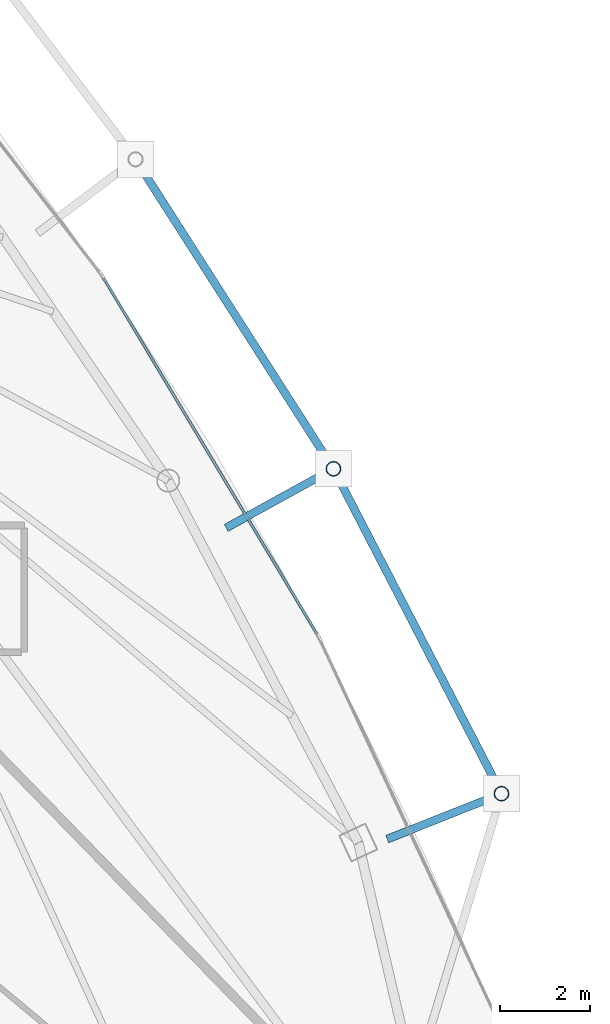
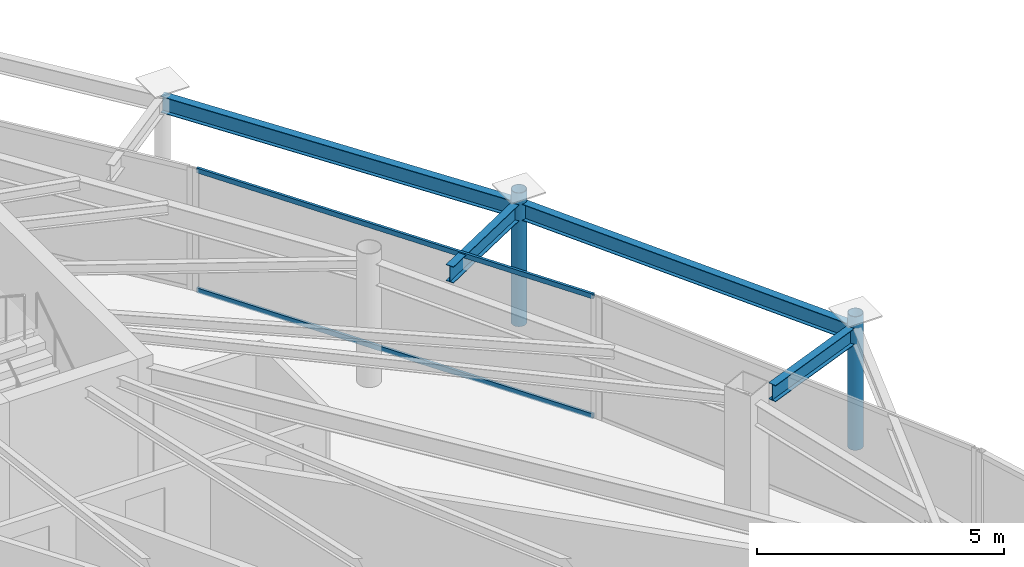
# One storey, part 18 of 30: 4 beams, 4 members, 1 element without a shape of its own.
"""IFC4 building model written with IfcOpenShell, lengths in metres."""

from ifc_helpers import new_model, si_unit, direction, frame, origin, origin_2d, place, context, subcontext, project, spatial, hollow_rectangle, hollow_circle, i_section, extrude, material, layer, layer_set, material_profile, profile_set, type_object, element, aggregate, save


model = new_model("IFC4")

# Units and contexts
model_context = context("Model", 3, precision=1e-05, world=origin(), true_north=direction((0.0, 1.0)))
body_context = subcontext(model_context, "Body", "Model", "MODEL_VIEW")
ifc_project = project(units=[si_unit("LENGTHUNIT", "METRE"), si_unit("AREAUNIT", "SQUARE_METRE"), si_unit("VOLUMEUNIT", "CUBIC_METRE"), si_unit("PLANEANGLEUNIT", "RADIAN"), si_unit("MASSUNIT", "GRAM", prefix="KILO")], contexts=[model_context])

# Site, building, storey
site_placement = place(None, origin())
site = spatial("IfcSite", under=ifc_project, at=site_placement, CompositionType="ELEMENT")
building_placement = place(site_placement, origin())
building = spatial("IfcBuilding", under=site, at=building_placement, Name="Orvanel Arch Residences", CompositionType="ELEMENT")
storey_placement = place(building_placement, frame((0.0, 0.0, 273.35009765625)))
storey = spatial("IfcBuildingStorey", under=building, at=storey_placement, Name="L78", CompositionType="ELEMENT", Elevation=273.35009765625)

# Beams
ifc_material_1 = material(Name="Structural steel AS/NZS 3679.1 Grade 300 (300 MPa)", Category="steel")
ifc_material_profile_1 = material_profile(ifc_material_1, i_section(OverallWidth=0.177978515625, OverallDepth=0.406005859375, WebThickness=0.0078125, FlangeThickness=0.0126953125, at=origin_2d()), Name="410UB59.7")
ifc_profile_set_1 = profile_set([ifc_material_profile_1], Name="Structural steel AS/NZS 3679.1 Grade 300 (300 MPa)")
beam_type = type_object("IfcBeamType", Name="OB-410UB-EXT", PredefinedType="SPANDREL", material=ifc_profile_set_1)
beam_1_placement = place(storey_placement, frame((50.27197265625, 19.718017578125, 2.81689453125), z_axis=(0.929304376484, 0.369314738195, 0.0), x_axis=(-0.369314738195, 0.929304376484, 0.0)))
element("IfcBeam", 1, at=beam_1_placement, inside=storey, type_object=beam_type, Name="L78 Outer Frame Radial Tie Beam 09", PredefinedType="SPANDREL", context=body_context, shape_type="SweptSolid", body=[
    extrude(i_section(OverallWidth=0.177978515625, OverallDepth=0.406005859375, WebThickness=0.0078125, FlangeThickness=0.0126953125, at=origin_2d()), origin(), (0.0, 0.0, 1.0), 2.71826171875),
])
beam_2_placement = place(storey_placement, frame((52.798095703125, 20.721923828125, 2.81689453125), z_axis=(-0.459441810429, 0.888207871407, 0.0), x_axis=(-0.888207871407, -0.459441810429, 0.0)))
element("IfcBeam", 2, at=beam_2_placement, inside=storey, type_object=beam_type, Name="L78 Outer Perimeter Floor Ring Beam 09", PredefinedType="SPANDREL", context=body_context, shape_type="SweptSolid", body=[
    extrude(i_section(OverallWidth=0.177978515625, OverallDepth=0.406005859375, WebThickness=0.0078125, FlangeThickness=0.0126953125, at=origin_2d()), origin(), (0.0, 0.0, 1.0), 8.086181640625),
])
beam_3_placement = place(storey_placement, frame((46.7119140625, 26.596923828125, 2.81689453125), z_axis=(0.875743343791, 0.482776962794, 0.0), x_axis=(-0.482776962794, 0.875743343791, 0.0)))
element("IfcBeam", 3, at=beam_3_placement, inside=storey, type_object=beam_type, Name="L78 Outer Frame Radial Tie Beam 10", PredefinedType="SPANDREL", context=body_context, shape_type="SweptSolid", body=[
    extrude(i_section(OverallWidth=0.177978515625, OverallDepth=0.406005859375, WebThickness=0.0078125, FlangeThickness=0.0126953125, at=origin_2d()), origin(), (0.0, 0.0, 1.0), 2.70751953125),
])
beam_4_placement = place(storey_placement, frame((49.0830078125, 27.904052734375, 2.81689453125), z_axis=(-0.538767005687, 0.842454813971, 0.0), x_axis=(-0.842454813971, -0.538767005687, 0.0)))
element("IfcBeam", 4, at=beam_4_placement, inside=storey, type_object=beam_type, Name="L78 Outer Perimeter Floor Ring Beam 10", PredefinedType="SPANDREL", context=body_context, shape_type="SweptSolid", body=[
    extrude(i_section(OverallWidth=0.177978515625, OverallDepth=0.406005859375, WebThickness=0.0078125, FlangeThickness=0.0126953125, at=origin_2d()), origin(), (0.0, 0.0, 1.0), 8.120361328125),
])

# Members
ifc_material_2 = material(Name="Structural steel AS/NZS 1163 C350L0 (Grade 350)", Category="steel")
ifc_material_profile_2 = material_profile(ifc_material_2, hollow_circle(Radius=0.162109375, WallThickness=0.0126953125, at=origin_2d()), Name="CHS324x12.7")
ifc_profile_set_2 = profile_set([ifc_material_profile_2], Name="Structural steel AS/NZS 1163 C350L0 (Grade 350)")
member_type_1 = type_object("IfcMemberType", Name="ST-324CHS-EXT", PredefinedType="STRUT", material=ifc_profile_set_2)
for number, where, z_axis, x_axis, name in (
    (5, (52.798095703125, 20.721923828125, 0.0), (0.0, 0.0, 1.0), (1.0, 0.0, 0.0), "L78 Outer Perimeter Frame Post 09"),
    (6, (49.0830078125, 27.904052734375, 0.0), (0.0, 0.0, 1.0), (1.0, 0.0, 0.0), "L78 Outer Perimeter Frame Post 10"),
):
    element("IfcMember", number, at=place(storey_placement, frame(where, z_axis=z_axis, x_axis=x_axis)), inside=storey, type_object=member_type_1, Name=name, PredefinedType="STRUT", context=body_context, shape_type="SweptSolid", body=[
        extrude(hollow_circle(Radius=0.162109375, WallThickness=0.0126953125, at=origin_2d()), origin(), (0.0, 0.0, 1.0), 3.2998046875),
    ])

# Curtain wall, members
ifc_material_3 = material(Name="Bronze-anodised aluminium AA6063-T6", Category="aluminium")
ifc_layer = layer(ifc_material_3, 0.175048828125)
ifc_layer_set = layer_set([ifc_layer], Name="Bronze-anodised aluminium AA6063-T6")
curtain_wall_type = type_object("IfcCurtainWallType", Name="CW4-HI-SYS", PredefinedType="NOTDEFINED", material=ifc_layer_set)
curtain_wall_placement = place(storey_placement, origin())
curtain_wall = element("IfcCurtainWall", 7, at=curtain_wall_placement, inside=storey, type_object=curtain_wall_type, Name="L78 CW4-HI-SYS Unitised Curtain Wall", PredefinedType="NOTDEFINED")
ifc_material_profile_3 = material_profile(ifc_material_3, hollow_rectangle(XDim=0.06005859375, YDim=0.1201171875, WallThickness=0.00341796875, at=origin_2d()), Name="ALU120x60x3.5")
ifc_profile_set_3 = profile_set([ifc_material_profile_3], Name="Bronze-anodised aluminium AA6063-T6")
member_type_2 = type_object("IfcMemberType", Name="TRN-120x60", PredefinedType="USERDEFINED", material=ifc_profile_set_3)
member_1_placement = place(storey_placement, frame((48.720458984375, 24.251708984375, 0.02978515625), z_axis=(-0.514382305755, 0.85756098531, 0.0), x_axis=(-0.85756098531, -0.514382305755, 0.0)))
member_1 = element("IfcMember", 8, at=member_1_placement, type_object=member_type_2, Name="CW-S4 transom 1.1", ObjectType="TRANSOM", PredefinedType="USERDEFINED", context=body_context, shape_type="SweptSolid", body=[
    extrude(hollow_rectangle(XDim=0.06005859375, YDim=0.1201171875, WallThickness=0.00341796875, at=origin_2d()), origin(), (0.0, 0.0, 1.0), 9.177978515625),
])
member_2_placement = place(storey_placement, frame((48.720458984375, 24.251708984375, 2.989990234375), z_axis=(-0.514382305755, 0.85756098531, 0.0), x_axis=(-0.85756098531, -0.514382305755, 0.0)))
member_2 = element("IfcMember", 9, at=member_2_placement, type_object=member_type_2, Name="CW-S4 transom 1.2", ObjectType="TRANSOM", PredefinedType="USERDEFINED", context=body_context, shape_type="SweptSolid", body=[
    extrude(hollow_rectangle(XDim=0.06005859375, YDim=0.1201171875, WallThickness=0.00341796875, at=origin_2d()), origin(), (0.0, 0.0, 1.0), 9.177978515625),
])
aggregate(curtain_wall, [member_1, member_2])

save(model, "model.ifc")
